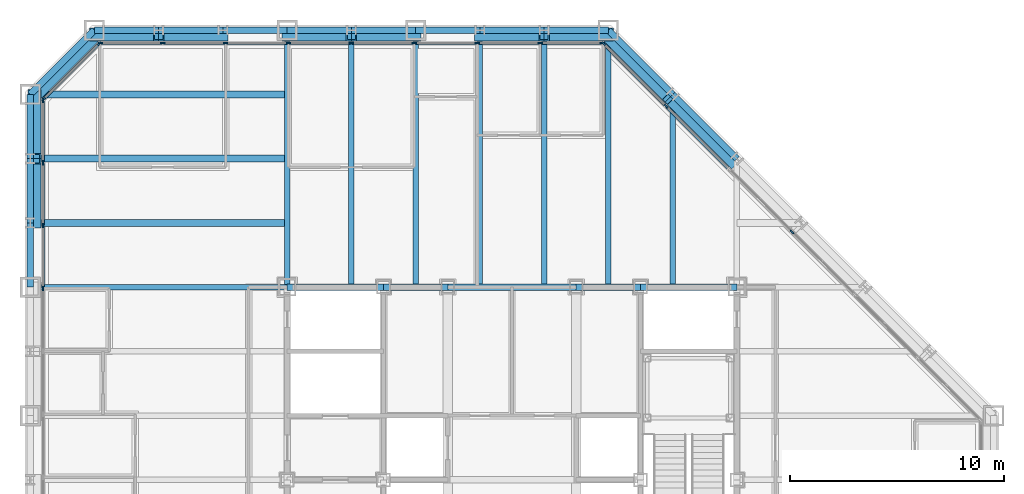
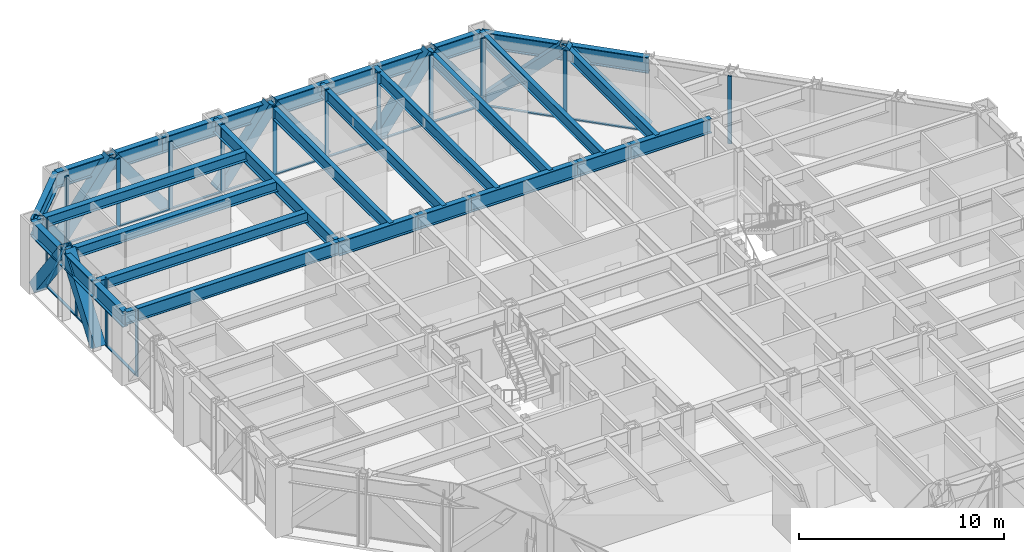
# One storey, part 7 of 16: 43 members, 30 beams, 4 elements without a shape of their own.
"""IFC4 building model written with IfcOpenShell, lengths in metres."""

from ifc_helpers import new_model, si_unit, direction, frame, origin, origin_2d, place, context, subcontext, project, spatial, rectangle, hollow_rectangle, i_section, extrude, material, layer, layer_set, material_profile, profile_set, type_object, element, aggregate, save


model = new_model("IFC4")

# Units and contexts
model_context = context("Model", 3, precision=1e-05, world=origin(), true_north=direction((0.0, 1.0)))
body_context = subcontext(model_context, "Body", "Model", "MODEL_VIEW")
ifc_project = project(units=[si_unit("LENGTHUNIT", "METRE"), si_unit("AREAUNIT", "SQUARE_METRE"), si_unit("VOLUMEUNIT", "CUBIC_METRE"), si_unit("PLANEANGLEUNIT", "RADIAN"), si_unit("MASSUNIT", "GRAM", prefix="KILO")], contexts=[model_context])

# Site, building, storey
site_placement = place(None, origin())
site = spatial("IfcSite", under=ifc_project, at=site_placement, CompositionType="ELEMENT")
building_placement = place(site_placement, origin())
building = spatial("IfcBuilding", under=site, at=building_placement, Name="Chuquiago Exchange Tower", CompositionType="ELEMENT")
storey_placement = place(building_placement, frame((0.0, 0.0, 157.199951171875)))
storey = spatial("IfcBuildingStorey", under=building, at=storey_placement, Name="L34", CompositionType="ELEMENT", Elevation=157.199951171875)

# Beams
ifc_material_1 = material(Name="Steel ASTM A992", Category="steel")
ifc_material_profile_1 = material_profile(ifc_material_1, i_section(OverallWidth=0.25390625, OverallDepth=0.683349609375, WebThickness=0.012451171875, FlangeThickness=0.018798828125, at=origin_2d()), Name="W27X94")
ifc_profile_set_1 = profile_set([ifc_material_profile_1], Name="Steel ASTM A992")
beam_type_1 = type_object("IfcBeamType", Name="B1 W27X94", PredefinedType="BEAM", material=ifc_profile_set_1)
for number, where, z_axis, x_axis, name in (
    (1, (15.0, 33.0, 3.698486328125), (0.0, 1.0, 0.0), (-1.0, 0.0, 0.0), "FB-L35-infill-15_33-15_45-0"),
    (2, (18.0, 33.0, 3.698486328125), (0.0, 1.0, 0.0), (-1.0, 0.0, 0.0), "FB-L35-infill-18_33-18_45-0"),
    (3, (21.0, 33.0, 3.698486328125), (0.0, 1.0, 0.0), (-1.0, 0.0, 0.0), "FB-L35-infill-21_33-21_45-0"),
    (4, (24.0, 33.0, 3.698486328125), (0.0, 1.0, 0.0), (-1.0, 0.0, 0.0), "FB-L35-infill-24_33-24_45-0"),
    (5, (27.0, 33.0, 3.698486328125), (0.0, 1.0, 0.0), (-1.0, 0.0, 0.0), "FB-L35-infill-27_33-27_45-0"),
):
    element("IfcBeam", number, at=place(storey_placement, frame(where, z_axis=z_axis, x_axis=x_axis)), inside=storey, type_object=beam_type_1, Name=name, PredefinedType="BEAM", context=body_context, shape_type="SweptSolid", body=[
        extrude(i_section(OverallWidth=0.25390625, OverallDepth=0.683349609375, WebThickness=0.012451171875, FlangeThickness=0.018798828125, at=origin_2d()), origin(), (0.0, 0.0, 1.0), 12.0),
    ])
beam_1_placement = place(storey_placement, frame((30.0, 33.0, 3.698486328125), z_axis=(0.0, 1.0, 0.0), x_axis=(-1.0, 0.0, 0.0)))
element("IfcBeam", 6, at=beam_1_placement, inside=storey, type_object=beam_type_1, Name="FB-L35-infill-30_33-30_42-0", PredefinedType="BEAM", context=body_context, shape_type="SweptSolid", body=[
    extrude(i_section(OverallWidth=0.25390625, OverallDepth=0.683349609375, WebThickness=0.012451171875, FlangeThickness=0.018798828125, at=origin_2d()), origin(), (0.0, 0.0, 1.0), 9.0),
])
ifc_material_2 = material(Name="Steel ASTM A992", Category="steel")
ifc_material_profile_2 = material_profile(ifc_material_2, i_section(OverallWidth=0.3251953125, OverallDepth=0.612060546875, WebThickness=0.0126953125, FlangeThickness=0.01904296875, at=origin_2d()), Name="W24X104")
ifc_profile_set_2 = profile_set([ifc_material_profile_2], Name="Steel ASTM A992")
beam_type_2 = type_object("IfcBeamType", Name="B2 W24X104", PredefinedType="BEAM", material=ifc_profile_set_2)
for number, where, z_axis, x_axis, name in (
    (7, (12.0, 36.0, 3.73388671875), (-1.0, 0.0, 0.0), (0.0, -1.0, 0.0), "FB-L35-corner-12_36--0_36-0"),
    (8, (12.0, 39.0, 3.73388671875), (-1.0, 0.0, 0.0), (0.0, -1.0, 0.0), "FB-L35-corner-12_39--0_39-0"),
    (9, (12.0, 42.0, 3.73388671875), (-1.0, 0.0, 0.0), (0.0, -1.0, 0.0), "FB-L35-corner-12_42--0_42-0"),
):
    element("IfcBeam", number, at=place(storey_placement, frame(where, z_axis=z_axis, x_axis=x_axis)), inside=storey, type_object=beam_type_2, Name=name, PredefinedType="BEAM", context=body_context, shape_type="SweptSolid", body=[
        extrude(i_section(OverallWidth=0.3251953125, OverallDepth=0.612060546875, WebThickness=0.0126953125, FlangeThickness=0.01904296875, at=origin_2d()), origin(), (0.0, 0.0, 1.0), 12.0),
    ])
ifc_material_3 = material(Name="Steel ASTM A992", Category="steel")
ifc_material_profile_3 = material_profile(ifc_material_3, i_section(OverallWidth=0.2919921875, OverallDepth=0.8583984375, WebThickness=0.01708984375, FlangeThickness=0.031005859375, at=origin_2d()), Name="W33X169")
ifc_profile_set_3 = profile_set([ifc_material_profile_3], Name="Steel ASTM A992")
beam_type_3 = type_object("IfcBeamType", Name="B3 W33X169", PredefinedType="BEAM", material=ifc_profile_set_3)
beam_2_placement = place(storey_placement, frame((12.0, 33.0, 3.61083984375), z_axis=(1.0, 0.0, 0.0), x_axis=(0.0, 1.0, 0.0)))
element("IfcBeam", 10, at=beam_2_placement, inside=storey, type_object=beam_type_3, Name="CB-L35-12_33-16.5_33", PredefinedType="BEAM", context=body_context, shape_type="SweptSolid", body=[
    extrude(i_section(OverallWidth=0.2919921875, OverallDepth=0.8583984375, WebThickness=0.01708984375, FlangeThickness=0.031005859375, at=origin_2d()), origin(), (0.0, 0.0, 1.0), 4.5),
])
beam_3_placement = place(storey_placement, frame((16.5, 33.0, 3.61083984375), z_axis=(1.0, 0.0, 0.0), x_axis=(0.0, 1.0, 0.0)))
element("IfcBeam", 11, at=beam_3_placement, inside=storey, type_object=beam_type_3, Name="CB-L35-16.5_33-19.5_33", PredefinedType="BEAM", context=body_context, shape_type="SweptSolid", body=[
    extrude(i_section(OverallWidth=0.2919921875, OverallDepth=0.8583984375, WebThickness=0.01708984375, FlangeThickness=0.031005859375, at=origin_2d()), origin(), (0.0, 0.0, 1.0), 3.0),
])
beam_4_placement = place(storey_placement, frame((19.5, 33.0, 3.61083984375), z_axis=(1.0, 0.0, 0.0), x_axis=(0.0, 1.0, 0.0)))
element("IfcBeam", 12, at=beam_4_placement, inside=storey, type_object=beam_type_3, Name="CB-L35-19.5_33-25.5_33", PredefinedType="BEAM", context=body_context, shape_type="SweptSolid", body=[
    extrude(i_section(OverallWidth=0.2919921875, OverallDepth=0.8583984375, WebThickness=0.01708984375, FlangeThickness=0.031005859375, at=origin_2d()), origin(), (0.0, 0.0, 1.0), 6.0),
])
beam_5_placement = place(storey_placement, frame((25.5, 33.0, 3.61083984375), z_axis=(1.0, 0.0, 0.0), x_axis=(0.0, 1.0, 0.0)))
element("IfcBeam", 13, at=beam_5_placement, inside=storey, type_object=beam_type_3, Name="CB-L35-25.5_33-28.5_33", PredefinedType="BEAM", context=body_context, shape_type="SweptSolid", body=[
    extrude(i_section(OverallWidth=0.2919921875, OverallDepth=0.8583984375, WebThickness=0.01708984375, FlangeThickness=0.031005859375, at=origin_2d()), origin(), (0.0, 0.0, 1.0), 3.0),
])
beam_6_placement = place(storey_placement, frame((28.5, 33.0, 3.61083984375), z_axis=(1.0, 0.0, 0.0), x_axis=(0.0, 1.0, 0.0)))
element("IfcBeam", 14, at=beam_6_placement, inside=storey, type_object=beam_type_3, Name="CB-L35-28.5_33-33_33", PredefinedType="BEAM", context=body_context, shape_type="SweptSolid", body=[
    extrude(i_section(OverallWidth=0.2919921875, OverallDepth=0.8583984375, WebThickness=0.01708984375, FlangeThickness=0.031005859375, at=origin_2d()), origin(), (0.0, 0.0, 1.0), 4.5),
])

# Curtain wall, members
ifc_material_4 = material(Name="Aluminium curtain wall system", Category="aluminium")
ifc_layer_1 = layer(ifc_material_4, 0.22509765625)
ifc_layer_set_1 = layer_set([ifc_layer_1], Name="CW2 office curtain wall")
curtain_wall_type_1 = type_object("IfcCurtainWallType", Name="CW2 office curtain wall", PredefinedType="NOTDEFINED", material=ifc_layer_set_1)
curtain_wall_1_placement = place(storey_placement, origin())
curtain_wall_1 = element("IfcCurtainWall", 15, at=curtain_wall_1_placement, inside=storey, type_object=curtain_wall_type_1, Name="CW2 curtain wall L34", PredefinedType="NOTDEFINED")
ifc_material_5 = material(Name="Aluminium mullion, pale anodised", Category="aluminium")
ifc_material_profile_4 = material_profile(ifc_material_5, rectangle(XDim=0.06494140625, YDim=0.22509765625, at=origin_2d()), Name="AL 65x225")
ifc_profile_set_4 = profile_set([ifc_material_profile_4], Name="Aluminium mullion, pale anodised")
member_type_1 = type_object("IfcMemberType", Name="CW2-M mullion 65x225", PredefinedType="MULLION", material=ifc_profile_set_4)
member_1_placement = place(storey_placement, frame((26.718994140625, 44.39990234375, 0.0), z_axis=(0.0, 0.0, 1.0), x_axis=(0.0, -1.0, 0.0)))
member_1 = element("IfcMember", 16, at=member_1_placement, type_object=member_type_1, Name="CW2 mullion 1", PredefinedType="MULLION", context=body_context, shape_type="SweptSolid", body=[
    extrude(rectangle(XDim=0.06494140625, YDim=0.22509765625, at=origin_2d()), origin(), (0.0, 0.0, 1.0), 4.0400390625),
])
member_2_placement = place(storey_placement, frame((23.813720703125, 44.39990234375, 0.0), z_axis=(0.0, 0.0, 1.0), x_axis=(0.0, -1.0, 0.0)))
member_2 = element("IfcMember", 17, at=member_2_placement, type_object=member_type_1, Name="CW2 mullion 2", PredefinedType="MULLION", context=body_context, shape_type="SweptSolid", body=[
    extrude(rectangle(XDim=0.06494140625, YDim=0.22509765625, at=origin_2d()), origin(), (0.0, 0.0, 1.0), 4.0400390625),
])
member_3_placement = place(storey_placement, frame((20.875732421875, 44.39990234375, 0.0), z_axis=(0.0, 0.0, 1.0), x_axis=(0.0, -1.0, 0.0)))
member_3 = element("IfcMember", 18, at=member_3_placement, type_object=member_type_1, Name="CW2 mullion 3", PredefinedType="MULLION", context=body_context, shape_type="SweptSolid", body=[
    extrude(rectangle(XDim=0.06494140625, YDim=0.22509765625, at=origin_2d()), origin(), (0.0, 0.0, 1.0), 4.0400390625),
])
member_4_placement = place(storey_placement, frame((17.93798828125, 44.39990234375, 0.0), z_axis=(0.0, 0.0, 1.0), x_axis=(0.0, -1.0, 0.0)))
member_4 = element("IfcMember", 19, at=member_4_placement, type_object=member_type_1, Name="CW2 mullion 4", PredefinedType="MULLION", context=body_context, shape_type="SweptSolid", body=[
    extrude(rectangle(XDim=0.06494140625, YDim=0.22509765625, at=origin_2d()), origin(), (0.0, 0.0, 1.0), 4.0400390625),
])
member_5_placement = place(storey_placement, frame((15.0, 44.39990234375, 0.0), z_axis=(0.0, 0.0, 1.0), x_axis=(0.0, -1.0, 0.0)))
member_5 = element("IfcMember", 20, at=member_5_placement, type_object=member_type_1, Name="CW2 mullion 5", PredefinedType="MULLION", context=body_context, shape_type="SweptSolid", body=[
    extrude(rectangle(XDim=0.06494140625, YDim=0.22509765625, at=origin_2d()), origin(), (0.0, 0.0, 1.0), 4.0400390625),
])
member_6_placement = place(storey_placement, frame((12.06201171875, 44.39990234375, 0.0), z_axis=(0.0, 0.0, 1.0), x_axis=(0.0, -1.0, 0.0)))
member_6 = element("IfcMember", 21, at=member_6_placement, type_object=member_type_1, Name="CW2 mullion 6", PredefinedType="MULLION", context=body_context, shape_type="SweptSolid", body=[
    extrude(rectangle(XDim=0.06494140625, YDim=0.22509765625, at=origin_2d()), origin(), (0.0, 0.0, 1.0), 4.0400390625),
])
member_7_placement = place(storey_placement, frame((9.124267578125, 44.39990234375, 0.0), z_axis=(0.0, 0.0, 1.0), x_axis=(0.0, -1.0, 0.0)))
member_7 = element("IfcMember", 22, at=member_7_placement, type_object=member_type_1, Name="CW2 mullion 7", PredefinedType="MULLION", context=body_context, shape_type="SweptSolid", body=[
    extrude(rectangle(XDim=0.06494140625, YDim=0.22509765625, at=origin_2d()), origin(), (0.0, 0.0, 1.0), 4.0400390625),
])
member_8_placement = place(storey_placement, frame((6.186279296875, 44.39990234375, 0.0), z_axis=(0.0, 0.0, 1.0), x_axis=(0.0, -1.0, 0.0)))
member_8 = element("IfcMember", 23, at=member_8_placement, type_object=member_type_1, Name="CW2 mullion 8", PredefinedType="MULLION", context=body_context, shape_type="SweptSolid", body=[
    extrude(rectangle(XDim=0.06494140625, YDim=0.22509765625, at=origin_2d()), origin(), (0.0, 0.0, 1.0), 4.0400390625),
])
member_9_placement = place(storey_placement, frame((3.281005859375, 44.39990234375, 0.0), z_axis=(0.0, 0.0, 1.0), x_axis=(0.0, -1.0, 0.0)))
member_9 = element("IfcMember", 24, at=member_9_placement, type_object=member_type_1, Name="CW2 mullion 9", PredefinedType="MULLION", context=body_context, shape_type="SweptSolid", body=[
    extrude(rectangle(XDim=0.06494140625, YDim=0.22509765625, at=origin_2d()), origin(), (0.0, 0.0, 1.0), 4.0400390625),
])

curtain_wall_2_placement = place(storey_placement, origin())
curtain_wall_2 = element("IfcCurtainWall", 25, at=curtain_wall_2_placement, inside=storey, type_object=curtain_wall_type_1, Name="CW2 curtain wall L34", PredefinedType="NOTDEFINED")
member_10_placement = place(storey_placement, frame((0.60009765625, 41.718994140625, 0.0), z_axis=(0.0, 0.0, 1.0), x_axis=(1.0, 0.0, 0.0)))
member_10 = element("IfcMember", 26, at=member_10_placement, type_object=member_type_1, Name="CW2 mullion 1", PredefinedType="MULLION", context=body_context, shape_type="SweptSolid", body=[
    extrude(rectangle(XDim=0.06494140625, YDim=0.22509765625, at=origin_2d()), origin(), (0.0, 0.0, 1.0), 4.0400390625),
])
member_11_placement = place(storey_placement, frame((0.60009765625, 38.813720703125, 0.0), z_axis=(0.0, 0.0, 1.0), x_axis=(1.0, 0.0, 0.0)))
member_11 = element("IfcMember", 27, at=member_11_placement, type_object=member_type_1, Name="CW2 mullion 2", PredefinedType="MULLION", context=body_context, shape_type="SweptSolid", body=[
    extrude(rectangle(XDim=0.06494140625, YDim=0.22509765625, at=origin_2d()), origin(), (0.0, 0.0, 1.0), 4.0400390625),
])
member_12_placement = place(storey_placement, frame((0.60009765625, 35.875732421875, 0.0), z_axis=(0.0, 0.0, 1.0), x_axis=(1.0, 0.0, 0.0)))
member_12 = element("IfcMember", 28, at=member_12_placement, type_object=member_type_1, Name="CW2 mullion 3", PredefinedType="MULLION", context=body_context, shape_type="SweptSolid", body=[
    extrude(rectangle(XDim=0.06494140625, YDim=0.22509765625, at=origin_2d()), origin(), (0.0, 0.0, 1.0), 4.0400390625),
])
member_13_placement = place(storey_placement, frame((0.60009765625, 32.93798828125, 0.0), z_axis=(0.0, 0.0, 1.0), x_axis=(1.0, 0.0, 0.0)))
member_13 = element("IfcMember", 29, at=member_13_placement, type_object=member_type_1, Name="CW2 mullion 4", PredefinedType="MULLION", context=body_context, shape_type="SweptSolid", body=[
    extrude(rectangle(XDim=0.06494140625, YDim=0.22509765625, at=origin_2d()), origin(), (0.0, 0.0, 1.0), 4.0400390625),
])

# Member
ifc_material_6 = material(Name="Aluminium transom, pale anodised", Category="aluminium")
ifc_material_profile_5 = material_profile(ifc_material_6, rectangle(XDim=0.139892578125, YDim=0.06494140625, at=origin_2d()), Name="AL 140x65")
ifc_profile_set_5 = profile_set([ifc_material_profile_5], Name="Aluminium transom, pale anodised")
member_type_2 = type_object("IfcMemberType", Name="CW2-T transom 65x140", PredefinedType="MULLION", material=ifc_profile_set_5)
member_14_placement = place(storey_placement, frame((26.6865234375, 44.39990234375, 0.032470703125), z_axis=(-1.0, 0.0, 0.0), x_axis=(0.0, -1.0, 0.0)))
member_14 = element("IfcMember", 30, at=member_14_placement, type_object=member_type_2, Name="CW2 transom 1.1", PredefinedType="MULLION", context=body_context, shape_type="SweptSolid", body=[
    extrude(rectangle(XDim=0.139892578125, YDim=0.06494140625, at=origin_2d()), origin(), (0.0, 0.0, 1.0), 2.84033203125),
])

member_15_placement = place(storey_placement, frame((23.781005859375, 44.39990234375, 0.032470703125), z_axis=(-1.0, 0.0, 0.0), x_axis=(0.0, -1.0, 0.0)))
member_15 = element("IfcMember", 31, at=member_15_placement, type_object=member_type_2, Name="CW2 transom 2.1", PredefinedType="MULLION", context=body_context, shape_type="SweptSolid", body=[
    extrude(rectangle(XDim=0.139892578125, YDim=0.06494140625, at=origin_2d()), origin(), (0.0, 0.0, 1.0), 2.872802734375),
])

member_16_placement = place(storey_placement, frame((20.84326171875, 44.39990234375, 0.032470703125), z_axis=(-1.0, 0.0, 0.0), x_axis=(0.0, -1.0, 0.0)))
member_16 = element("IfcMember", 32, at=member_16_placement, type_object=member_type_2, Name="CW2 transom 3.1", PredefinedType="MULLION", context=body_context, shape_type="SweptSolid", body=[
    extrude(rectangle(XDim=0.139892578125, YDim=0.06494140625, at=origin_2d()), origin(), (0.0, 0.0, 1.0), 2.872802734375),
])

member_17_placement = place(storey_placement, frame((17.9052734375, 44.39990234375, 0.032470703125), z_axis=(-1.0, 0.0, 0.0), x_axis=(0.0, -1.0, 0.0)))
member_17 = element("IfcMember", 33, at=member_17_placement, type_object=member_type_2, Name="CW2 transom 4.1", PredefinedType="MULLION", context=body_context, shape_type="SweptSolid", body=[
    extrude(rectangle(XDim=0.139892578125, YDim=0.06494140625, at=origin_2d()), origin(), (0.0, 0.0, 1.0), 2.872802734375),
])

member_18_placement = place(storey_placement, frame((14.967529296875, 44.39990234375, 0.032470703125), z_axis=(-1.0, 0.0, 0.0), x_axis=(0.0, -1.0, 0.0)))
member_18 = element("IfcMember", 34, at=member_18_placement, type_object=member_type_2, Name="CW2 transom 5.1", PredefinedType="MULLION", context=body_context, shape_type="SweptSolid", body=[
    extrude(rectangle(XDim=0.139892578125, YDim=0.06494140625, at=origin_2d()), origin(), (0.0, 0.0, 1.0), 2.872802734375),
])

member_19_placement = place(storey_placement, frame((12.029541015625, 44.39990234375, 0.032470703125), z_axis=(-1.0, 0.0, 0.0), x_axis=(0.0, -1.0, 0.0)))
member_19 = element("IfcMember", 35, at=member_19_placement, type_object=member_type_2, Name="CW2 transom 6.1", PredefinedType="MULLION", context=body_context, shape_type="SweptSolid", body=[
    extrude(rectangle(XDim=0.139892578125, YDim=0.06494140625, at=origin_2d()), origin(), (0.0, 0.0, 1.0), 2.872802734375),
])

member_20_placement = place(storey_placement, frame((9.091796875, 44.39990234375, 0.032470703125), z_axis=(-1.0, 0.0, 0.0), x_axis=(0.0, -1.0, 0.0)))
member_20 = element("IfcMember", 36, at=member_20_placement, type_object=member_type_2, Name="CW2 transom 7.1", PredefinedType="MULLION", context=body_context, shape_type="SweptSolid", body=[
    extrude(rectangle(XDim=0.139892578125, YDim=0.06494140625, at=origin_2d()), origin(), (0.0, 0.0, 1.0), 2.872802734375),
])

member_21_placement = place(storey_placement, frame((6.15380859375, 44.39990234375, 0.032470703125), z_axis=(-1.0, 0.0, 0.0), x_axis=(0.0, -1.0, 0.0)))
member_21 = element("IfcMember", 37, at=member_21_placement, type_object=member_type_2, Name="CW2 transom 8.1", PredefinedType="MULLION", context=body_context, shape_type="SweptSolid", body=[
    extrude(rectangle(XDim=0.139892578125, YDim=0.06494140625, at=origin_2d()), origin(), (0.0, 0.0, 1.0), 2.84033203125),
])

aggregate(curtain_wall_1, [member_1, member_2, member_3, member_4, member_5, member_6, member_7, member_8, member_9, member_14, member_15, member_16, member_17, member_18, member_19, member_20, member_21])

member_22_placement = place(storey_placement, frame((0.60009765625, 41.6865234375, 0.032470703125), z_axis=(0.0, -1.0, 0.0), x_axis=(1.0, 0.0, 0.0)))
member_22 = element("IfcMember", 38, at=member_22_placement, type_object=member_type_2, Name="CW2 transom 1.1", PredefinedType="MULLION", context=body_context, shape_type="SweptSolid", body=[
    extrude(rectangle(XDim=0.139892578125, YDim=0.06494140625, at=origin_2d()), origin(), (0.0, 0.0, 1.0), 2.84033203125),
])

member_23_placement = place(storey_placement, frame((0.60009765625, 38.781005859375, 0.032470703125), z_axis=(0.0, -1.0, 0.0), x_axis=(1.0, 0.0, 0.0)))
member_23 = element("IfcMember", 39, at=member_23_placement, type_object=member_type_2, Name="CW2 transom 2.1", PredefinedType="MULLION", context=body_context, shape_type="SweptSolid", body=[
    extrude(rectangle(XDim=0.139892578125, YDim=0.06494140625, at=origin_2d()), origin(), (0.0, 0.0, 1.0), 2.872802734375),
])

member_24_placement = place(storey_placement, frame((0.60009765625, 35.84326171875, 0.032470703125), z_axis=(0.0, -1.0, 0.0), x_axis=(1.0, 0.0, 0.0)))
member_24 = element("IfcMember", 40, at=member_24_placement, type_object=member_type_2, Name="CW2 transom 3.1", PredefinedType="MULLION", context=body_context, shape_type="SweptSolid", body=[
    extrude(rectangle(XDim=0.139892578125, YDim=0.06494140625, at=origin_2d()), origin(), (0.0, 0.0, 1.0), 2.872802734375),
])

aggregate(curtain_wall_2, [member_10, member_11, member_12, member_13, member_22, member_23, member_24])

# Curtain wall, members
ifc_material_7 = material(Name="Aluminium curtain wall system", Category="aluminium")
ifc_layer_2 = layer(ifc_material_7, 0.199951171875)
ifc_layer_set_2 = layer_set([ifc_layer_2], Name="CW3 facet curtain wall")
curtain_wall_type_2 = type_object("IfcCurtainWallType", Name="CW3 facet curtain wall", PredefinedType="NOTDEFINED", material=ifc_layer_set_2)
curtain_wall_3_placement = place(storey_placement, origin())
curtain_wall_3 = element("IfcCurtainWall", 41, at=curtain_wall_3_placement, inside=storey, type_object=curtain_wall_type_2, Name="CW3 curtain wall L34", PredefinedType="NOTDEFINED")
ifc_material_8 = material(Name="Aluminium mullion, pale anodised", Category="aluminium")
ifc_material_profile_6 = material_profile(ifc_material_8, rectangle(XDim=0.06494140625, YDim=0.199951171875, at=origin_2d()), Name="AL 65x200")
ifc_profile_set_6 = profile_set([ifc_material_profile_6], Name="Aluminium mullion, pale anodised")
member_type_3 = type_object("IfcMemberType", Name="CW3-M mullion 65x200", PredefinedType="MULLION", material=ifc_profile_set_6)
member_25_placement = place(storey_placement, frame((35.57568359375, 35.57568359375, 0.0), z_axis=(0.0, 0.0, 1.0), x_axis=(-0.707106781187, -0.707106781187, 0.0)))
member_25 = element("IfcMember", 42, at=member_25_placement, type_object=member_type_3, Name="CW3 mullion 4", PredefinedType="MULLION", context=body_context, shape_type="SweptSolid", body=[
    extrude(rectangle(XDim=0.06494140625, YDim=0.199951171875, at=origin_2d()), origin(), (0.0, 0.0, 1.0), 4.0400390625),
])
member_26_placement = place(storey_placement, frame((29.69287109375, 41.45849609375, 0.0), z_axis=(0.0, 0.0, 1.0), x_axis=(-0.707106781187, -0.707106781187, 0.0)))
member_26 = element("IfcMember", 43, at=member_26_placement, type_object=member_type_3, Name="CW3 mullion 6", PredefinedType="MULLION", context=body_context, shape_type="SweptSolid", body=[
    extrude(rectangle(XDim=0.06494140625, YDim=0.199951171875, at=origin_2d()), origin(), (0.0, 0.0, 1.0), 4.0400390625),
])
member_27_placement = place(storey_placement, frame((26.7744140625, 44.376953125, 0.0), z_axis=(0.0, 0.0, 1.0), x_axis=(-0.707106781187, -0.707106781187, 0.0)))
member_27 = element("IfcMember", 44, at=member_27_placement, type_object=member_type_3, Name="CW3 mullion 7", PredefinedType="MULLION", context=body_context, shape_type="SweptSolid", body=[
    extrude(rectangle(XDim=0.06494140625, YDim=0.199951171875, at=origin_2d()), origin(), (0.0, 0.0, 1.0), 4.0400390625),
])

curtain_wall_4_placement = place(storey_placement, origin())
curtain_wall_4 = element("IfcCurtainWall", 45, at=curtain_wall_4_placement, inside=storey, type_object=curtain_wall_type_2, Name="CW3 curtain wall L34", PredefinedType="NOTDEFINED")
member_28_placement = place(storey_placement, frame((3.2255859375, 44.376953125, 0.0), z_axis=(0.0, 0.0, 1.0), x_axis=(0.707106781187, -0.707106781187, 0.0)))
member_28 = element("IfcMember", 46, at=member_28_placement, type_object=member_type_3, Name="CW3 mullion 1", PredefinedType="MULLION", context=body_context, shape_type="SweptSolid", body=[
    extrude(rectangle(XDim=0.06494140625, YDim=0.199951171875, at=origin_2d()), origin(), (0.0, 0.0, 1.0), 4.0400390625),
])
member_29_placement = place(storey_placement, frame((0.623046875, 41.7744140625, 0.0), z_axis=(0.0, 0.0, 1.0), x_axis=(0.707106781187, -0.707106781187, 0.0)))
member_29 = element("IfcMember", 47, at=member_29_placement, type_object=member_type_3, Name="CW3 mullion 2", PredefinedType="MULLION", context=body_context, shape_type="SweptSolid", body=[
    extrude(rectangle(XDim=0.06494140625, YDim=0.199951171875, at=origin_2d()), origin(), (0.0, 0.0, 1.0), 4.0400390625),
])

# Member
ifc_material_9 = material(Name="Aluminium transom, pale anodised", Category="aluminium")
ifc_material_profile_7 = material_profile(ifc_material_9, rectangle(XDim=0.139892578125, YDim=0.06494140625, at=origin_2d()), Name="AL 140x65")
ifc_profile_set_7 = profile_set([ifc_material_profile_7], Name="Aluminium transom, pale anodised")
member_type_4 = type_object("IfcMemberType", Name="CW3-T transom 65x140", PredefinedType="MULLION", material=ifc_profile_set_7)
member_30_placement = place(storey_placement, frame((32.611328125, 38.5400390625, 0.032470703125), z_axis=(-0.707106781187, 0.707106781187, 0.0), x_axis=(-0.707106781187, -0.707106781187, 0.0)))
member_30 = element("IfcMember", 48, at=member_30_placement, type_object=member_type_4, Name="CW3 transom 5.1", PredefinedType="MULLION", context=body_context, shape_type="SweptSolid", body=[
    extrude(rectangle(XDim=0.139892578125, YDim=0.06494140625, at=origin_2d()), origin(), (0.0, 0.0, 1.0), 4.094970703125),
])

member_31_placement = place(storey_placement, frame((29.669921875, 41.4814453125, 0.032470703125), z_axis=(-0.707106781187, 0.707106781187, 0.0), x_axis=(-0.707106781187, -0.707106781187, 0.0)))
member_31 = element("IfcMember", 49, at=member_31_placement, type_object=member_type_4, Name="CW3 transom 6.1", PredefinedType="MULLION", context=body_context, shape_type="SweptSolid", body=[
    extrude(rectangle(XDim=0.139892578125, YDim=0.06494140625, at=origin_2d()), origin(), (0.0, 0.0, 1.0), 4.0625),
])

aggregate(curtain_wall_3, [member_25, member_26, member_27, member_30, member_31])

member_32_placement = place(storey_placement, frame((3.20263671875, 44.35400390625, 0.032470703125), z_axis=(-0.707106781187, -0.707106781187, 0.0), x_axis=(0.707106781187, -0.707106781187, 0.0)))
member_32 = element("IfcMember", 50, at=member_32_placement, type_object=member_type_4, Name="CW3 transom 1.1", PredefinedType="MULLION", context=body_context, shape_type="SweptSolid", body=[
    extrude(rectangle(XDim=0.139892578125, YDim=0.06494140625, at=origin_2d()), origin(), (0.0, 0.0, 1.0), 3.61572265625),
])

aggregate(curtain_wall_4, [member_28, member_29, member_32])

# Beams
ifc_material_10 = material(Name="Steel ASTM A992", Category="steel")
ifc_material_profile_8 = material_profile(ifc_material_10, i_section(OverallWidth=0.2666015625, OverallDepth=0.76953125, WebThickness=0.015625, FlangeThickness=0.025390625, at=origin_2d()), Name="W30X132")
ifc_profile_set_8 = profile_set([ifc_material_profile_8], Name="Steel ASTM A992")
beam_type_4 = type_object("IfcBeamType", Name="G1 W30X132", PredefinedType="BEAM", material=ifc_profile_set_8)
for number, where, z_axis, x_axis, name in (
    (51, (12.0, 33.0, 3.6552734375), (0.0, 1.0, 0.0), (-1.0, 0.0, 0.0), "FB-L35-girder-12_33-12_45-0"),
    (52, (12.0, 33.0, 3.6552734375), (-1.0, 0.0, 0.0), (0.0, -1.0, 0.0), "FB-L35-girder-12_33--0_33-0"),
):
    element("IfcBeam", number, at=place(storey_placement, frame(where, z_axis=z_axis, x_axis=x_axis)), inside=storey, type_object=beam_type_4, Name=name, PredefinedType="BEAM", context=body_context, shape_type="SweptSolid", body=[
        extrude(i_section(OverallWidth=0.2666015625, OverallDepth=0.76953125, WebThickness=0.015625, FlangeThickness=0.025390625, at=origin_2d()), origin(), (0.0, 0.0, 1.0), 12.0),
    ])

# Members
ifc_material_11 = material(Name="Steel ASTM A500 Grade C", Category="steel")
ifc_material_profile_9 = material_profile(ifc_material_11, hollow_rectangle(XDim=0.508056640625, YDim=0.508056640625, WallThickness=0.017822265625, at=origin_2d()), Name="HSS20X20X3/4")
ifc_profile_set_9 = profile_set([ifc_material_profile_9], Name="Steel ASTM A500 Grade C")
member_type_5 = type_object("IfcMemberType", Name="LB1 HSS20X20X3/4", PredefinedType="BRACE", material=ifc_profile_set_9)
for number, where, z_axis, x_axis, name in (
    (53, (32.822509765625, 38.822509765625, 0.0), (-0.512077265487, 0.512077265487, 0.689604051861), (-0.707106781187, -0.707106781187, 0.0), "LB-L34-33_39-30_42"),
    (54, (26.822509765625, 44.822509765625, 0.0), (0.512077265487, -0.512077265487, 0.689604051861), (0.707106781187, 0.707106781187, 0.0), "LB-L34-30_42-27_45"),
    (55, (3.177490234375, 44.822509765625, 0.0), (-0.512077265487, -0.512077265487, 0.689604051861), (0.707106781187, -0.707106781187, 0.0), "LB-L34-3_45-0_42"),
):
    element("IfcMember", number, at=place(storey_placement, frame(where, z_axis=z_axis, x_axis=x_axis)), inside=storey, type_object=member_type_5, Name=name, PredefinedType="BRACE", context=body_context, shape_type="SweptSolid", body=[
        extrude(hollow_rectangle(XDim=0.508056640625, YDim=0.508056640625, WallThickness=0.017822265625, at=origin_2d()), origin(), (0.0, 0.0, 1.0), 5.8583984375),
    ])
ifc_material_12 = material(Name="Steel ASTM A572 Grade 50", Category="steel")
ifc_material_profile_10 = material_profile(ifc_material_12, hollow_rectangle(XDim=0.60009765625, YDim=0.60009765625, WallThickness=0.06005859375, at=origin_2d()), Name="BOX600X600X60")
ifc_profile_set_10 = profile_set([ifc_material_profile_10], Name="Steel ASTM A572 Grade 50")
member_type_6 = type_object("IfcMemberType", Name="MB2 BOX600X600X60", PredefinedType="BRACE", material=ifc_profile_set_10)
for number, where, z_axis, x_axis, name in (
    (56, (27.0, 44.794921875, 0.0), (-0.596173923302, 0.0, 0.802855312728), (0.0, -1.0, 0.0), "Mega diagonal L34 N face"),
    (57, (21.0, 44.794921875, 0.0), (0.596173923302, 0.0, 0.802855312728), (0.0, 1.0, 0.0), "Mega diagonal L34 N face"),
    (58, (18.0, 44.794921875, 0.0), (-0.596173923302, 0.0, 0.802855312728), (0.0, -1.0, 0.0), "Mega diagonal L34 N face"),
    (59, (12.0, 44.794921875, 0.0), (0.596173923302, 0.0, 0.802855312728), (0.0, 1.0, 0.0), "Mega diagonal L34 N face"),
    (60, (9.0, 44.794921875, 0.0), (-0.596173923302, 0.0, 0.802855312728), (0.0, -1.0, 0.0), "Mega diagonal L34 N face"),
    (61, (3.0, 44.794921875, 0.0), (0.596173923302, 0.0, 0.802855312728), (0.0, 1.0, 0.0), "Mega diagonal L34 N face"),
    (62, (0.205078125, 42.0, 0.0), (0.0, -0.596173923302, 0.802855312728), (1.0, 0.0, 0.0), "Mega diagonal L34 W face"),
    (63, (0.205078125, 36.0, 0.0), (0.0, 0.596173923302, 0.802855312728), (-1.0, 0.0, 0.0), "Mega diagonal L34 W face"),
):
    element("IfcMember", number, at=place(storey_placement, frame(where, z_axis=z_axis, x_axis=x_axis)), inside=storey, type_object=member_type_6, Name=name, PredefinedType="BRACE", context=body_context, shape_type="SweptSolid", body=[
        extrude(hollow_rectangle(XDim=0.60009765625, YDim=0.60009765625, WallThickness=0.06005859375, at=origin_2d()), origin(), (0.0, 0.0, 1.0), 5.031982421875),
    ])

# Beams
ifc_material_13 = material(Name="Steel ASTM A992", Category="steel")
ifc_material_profile_11 = material_profile(ifc_material_13, i_section(OverallWidth=0.309814453125, OverallDepth=0.949951171875, WebThickness=0.0244140625, FlangeThickness=0.0439453125, at=origin_2d()), Name="W36X256")
ifc_profile_set_11 = profile_set([ifc_material_profile_11], Name="Steel ASTM A992")
beam_type_5 = type_object("IfcBeamType", Name="SP2 W36X256", PredefinedType="SPANDREL", material=ifc_profile_set_11)
for number, where, z_axis, x_axis, name in (
    (64, (33.0, 39.0, 3.56494140625), (-0.707106781187, 0.707106781187, 0.0), (-0.707106781187, -0.707106781187, 0.0), "SPB-L35-33_39-30_42"),
    (65, (30.0, 42.0, 3.56494140625), (-0.707106781187, 0.707106781187, 0.0), (-0.707106781187, -0.707106781187, 0.0), "SPB-L35-30_42-27_45"),
):
    element("IfcBeam", number, at=place(storey_placement, frame(where, z_axis=z_axis, x_axis=x_axis)), inside=storey, type_object=beam_type_5, Name=name, PredefinedType="SPANDREL", context=body_context, shape_type="SweptSolid", body=[
        extrude(i_section(OverallWidth=0.309814453125, OverallDepth=0.949951171875, WebThickness=0.0244140625, FlangeThickness=0.0439453125, at=origin_2d()), origin(), (0.0, 0.0, 1.0), 4.24267578125),
    ])
for number, where, z_axis, x_axis, name in (
    (66, (27.0, 45.0, 3.56494140625), (-1.0, 0.0, 0.0), (0.0, -1.0, 0.0), "SPB-L35-27_45-24_45"),
    (67, (24.0, 45.0, 3.56494140625), (-1.0, 0.0, 0.0), (0.0, -1.0, 0.0), "SPB-L35-24_45-21_45"),
    (68, (21.0, 45.0, 3.56494140625), (-1.0, 0.0, 0.0), (0.0, -1.0, 0.0), "SPB-L35-21_45-18_45"),
    (69, (18.0, 45.0, 3.56494140625), (-1.0, 0.0, 0.0), (0.0, -1.0, 0.0), "SPB-L35-18_45-15_45"),
    (70, (15.0, 45.0, 3.56494140625), (-1.0, 0.0, 0.0), (0.0, -1.0, 0.0), "SPB-L35-15_45-12_45"),
    (71, (12.0, 45.0, 3.56494140625), (-1.0, 0.0, 0.0), (0.0, -1.0, 0.0), "SPB-L35-12_45-9_45"),
    (72, (9.0, 45.0, 3.56494140625), (-1.0, 0.0, 0.0), (0.0, -1.0, 0.0), "SPB-L35-9_45-6_45"),
    (73, (6.0, 45.0, 3.56494140625), (-1.0, 0.0, 0.0), (0.0, -1.0, 0.0), "SPB-L35-6_45-3_45"),
):
    element("IfcBeam", number, at=place(storey_placement, frame(where, z_axis=z_axis, x_axis=x_axis)), inside=storey, type_object=beam_type_5, Name=name, PredefinedType="SPANDREL", context=body_context, shape_type="SweptSolid", body=[
        extrude(i_section(OverallWidth=0.309814453125, OverallDepth=0.949951171875, WebThickness=0.0244140625, FlangeThickness=0.0439453125, at=origin_2d()), origin(), (0.0, 0.0, 1.0), 3.0),
    ])
beam_7_placement = place(storey_placement, frame((3.0, 45.0, 3.56494140625), z_axis=(-0.707106781187, -0.707106781187, 0.0), x_axis=(0.707106781187, -0.707106781187, 0.0)))
element("IfcBeam", 74, at=beam_7_placement, inside=storey, type_object=beam_type_5, Name="SPB-L35-3_45-0_42", PredefinedType="SPANDREL", context=body_context, shape_type="SweptSolid", body=[
    extrude(i_section(OverallWidth=0.309814453125, OverallDepth=0.949951171875, WebThickness=0.0244140625, FlangeThickness=0.0439453125, at=origin_2d()), origin(), (0.0, 0.0, 1.0), 4.24267578125),
])
for number, where, z_axis, x_axis, name in (
    (75, (0.0, 42.0, 3.56494140625), (0.0, -1.0, 0.0), (1.0, 0.0, 0.0), "SPB-L35-0_42-0_39"),
    (76, (0.0, 39.0, 3.56494140625), (0.0, -1.0, 0.0), (1.0, 0.0, 0.0), "SPB-L35-0_39-0_36"),
    (77, (0.0, 36.0, 3.56494140625), (0.0, -1.0, 0.0), (1.0, 0.0, 0.0), "SPB-L35-0_36-0_33"),
):
    element("IfcBeam", number, at=place(storey_placement, frame(where, z_axis=z_axis, x_axis=x_axis)), inside=storey, type_object=beam_type_5, Name=name, PredefinedType="SPANDREL", context=body_context, shape_type="SweptSolid", body=[
        extrude(i_section(OverallWidth=0.309814453125, OverallDepth=0.949951171875, WebThickness=0.0244140625, FlangeThickness=0.0439453125, at=origin_2d()), origin(), (0.0, 0.0, 1.0), 3.0),
    ])

save(model, "model.ifc")
